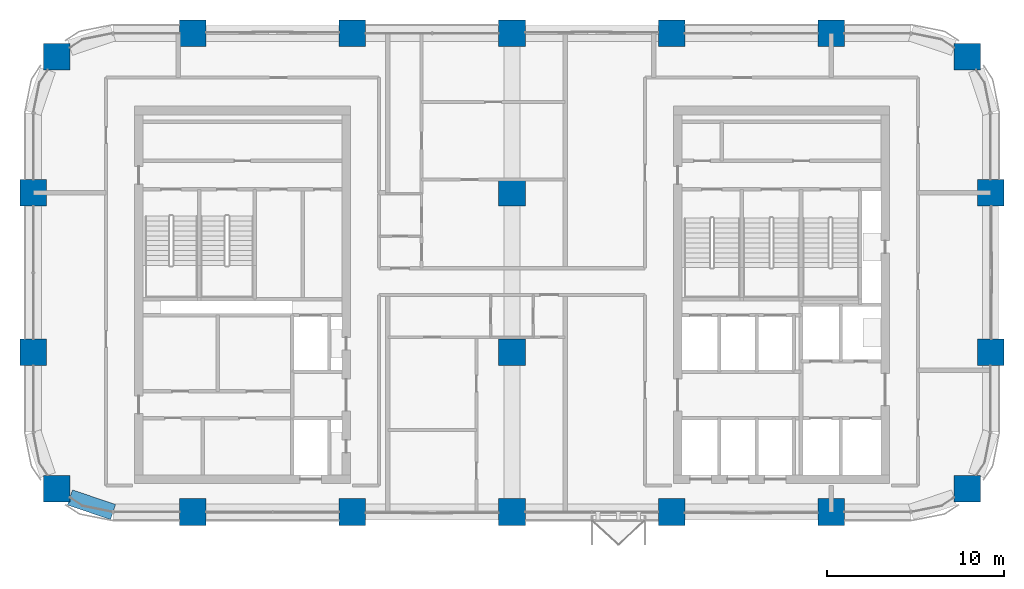
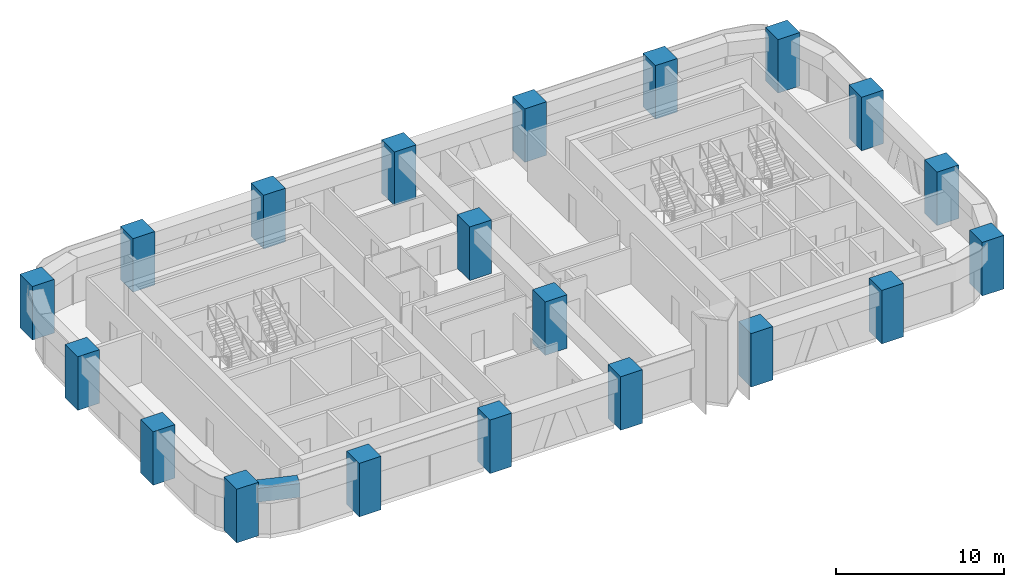
# One storey, part 1 of 14: 20 columns, 1 beam.
"""IFC4 building model written with IfcOpenShell, lengths in metres."""

from ifc_helpers import new_model, si_unit, direction, frame, origin, origin_2d, place, context, subcontext, project, spatial, rectangle, extrude, material, material_profile, profile_set, type_object, element, save


model = new_model("IFC4")

# Units and contexts
model_context = context("Model", 3, precision=1e-05, world=origin(), true_north=direction((0.0, 1.0)))
body_context = subcontext(model_context, "Body", "Model", "MODEL_VIEW")
ifc_project = project(units=[si_unit("LENGTHUNIT", "METRE"), si_unit("AREAUNIT", "SQUARE_METRE"), si_unit("VOLUMEUNIT", "CUBIC_METRE"), si_unit("PLANEANGLEUNIT", "RADIAN"), si_unit("MASSUNIT", "GRAM", prefix="KILO")], contexts=[model_context])

# Site, building, storey
site_placement = place(None, origin())
site = spatial("IfcSite", under=ifc_project, at=site_placement, CompositionType="ELEMENT")
building_placement = place(site_placement, origin())
building = spatial("IfcBuilding", under=site, at=building_placement, Name="Tessera Arch", CompositionType="ELEMENT")
storey_placement = place(building_placement, frame((0.0, 0.0, 134.89990234375)))
storey = spatial("IfcBuildingStorey", under=building, at=storey_placement, Name="L31", CompositionType="ELEMENT", Elevation=134.89990234375)

# Columns
ifc_material_1 = material(Name="Concrete C70/85", Category="concrete")
ifc_material_profile_1 = material_profile(ifc_material_1, rectangle(XDim=1.5, YDim=1.5, at=origin_2d()), Name="RC column 1500 x 1500 Concrete C70/85")
ifc_profile_set_1 = profile_set([ifc_material_profile_1], Name="Concrete C70/85")
column_type = type_object("IfcColumnType", Name="RC column 1500 x 1500 Concrete C70/85", PredefinedType="COLUMN", material=ifc_profile_set_1)
for number, where, z_axis, x_axis, name in (
    (1, (1.318115234375, 28.318115234375, 0.0), (0.0, 0.0, 1.0), (1.0, 0.0, 0.0), "Column C1D L31"),
    (2, (0.0, 36.0, 0.0), (0.0, 0.0, 1.0), (1.0, 0.0, 0.0), "Column C1E L31"),
    (3, (0.0, 45.0, 0.0), (0.0, 0.0, 1.0), (1.0, 0.0, 0.0), "Column C1F L31"),
    (4, (1.318115234375, 52.681884765625, 0.0), (0.0, 0.0, 1.0), (1.0, 0.0, 0.0), "Column C1G L31"),
    (5, (9.0, 27.0, 0.0), (0.0, 0.0, 1.0), (1.0, 0.0, 0.0), "Column C2D L31"),
    (6, (9.0, 54.0, 0.0), (0.0, 0.0, 1.0), (1.0, 0.0, 0.0), "Column C2G L31"),
    (7, (18.0, 27.0, 0.0), (0.0, 0.0, 1.0), (1.0, 0.0, 0.0), "Column C3D L31"),
    (8, (18.0, 54.0, 0.0), (0.0, 0.0, 1.0), (1.0, 0.0, 0.0), "Column C3G L31"),
    (9, (27.0, 27.0, 0.0), (0.0, 0.0, 1.0), (1.0, 0.0, 0.0), "Column C4D L31"),
    (10, (27.0, 36.0, 0.0), (0.0, 0.0, 1.0), (1.0, 0.0, 0.0), "Column C4E L31"),
    (11, (27.0, 45.0, 0.0), (0.0, 0.0, 1.0), (1.0, 0.0, 0.0), "Column C4F L31"),
    (12, (27.0, 54.0, 0.0), (0.0, 0.0, 1.0), (1.0, 0.0, 0.0), "Column C4G L31"),
    (13, (36.0, 27.0, 0.0), (0.0, 0.0, 1.0), (1.0, 0.0, 0.0), "Column C5D L31"),
    (14, (36.0, 54.0, 0.0), (0.0, 0.0, 1.0), (1.0, 0.0, 0.0), "Column C5G L31"),
    (15, (45.0, 27.0, 0.0), (0.0, 0.0, 1.0), (1.0, 0.0, 0.0), "Column C6D L31"),
    (16, (45.0, 54.0, 0.0), (0.0, 0.0, 1.0), (1.0, 0.0, 0.0), "Column C6G L31"),
    (17, (52.681884765625, 28.318115234375, 0.0), (0.0, 0.0, 1.0), (1.0, 0.0, 0.0), "Column C7D L31"),
    (18, (54.0, 36.0, 0.0), (0.0, 0.0, 1.0), (1.0, 0.0, 0.0), "Column C7E L31"),
    (19, (54.0, 45.0, 0.0), (0.0, 0.0, 1.0), (1.0, 0.0, 0.0), "Column C7F L31"),
    (20, (52.681884765625, 52.681884765625, 0.0), (0.0, 0.0, 1.0), (1.0, 0.0, 0.0), "Column C7G L31"),
):
    element("IfcColumn", number, at=place(storey_placement, frame(where, z_axis=z_axis, x_axis=x_axis)), inside=storey, type_object=column_type, Name=name, PredefinedType="COLUMN", context=body_context, shape_type="SweptSolid", body=[
        extrude(rectangle(XDim=1.5, YDim=1.5, at=origin_2d()), origin(), (0.0, 0.0, 1.0), 3.900146484375),
    ])

# Beam
ifc_material_2 = material(Name="Concrete C70/85", Category="concrete")
ifc_material_profile_2 = material_profile(ifc_material_2, rectangle(XDim=0.89990234375, YDim=1.0, at=origin_2d()), Name="RC spandrel beam 900 x 1000 Concrete C70/85")
ifc_profile_set_2 = profile_set([ifc_material_profile_2], Name="Concrete C70/85")
beam_type = type_object("IfcBeamType", Name="RC spandrel beam 900 x 1000 Concrete C70/85", PredefinedType="BEAM", material=ifc_profile_set_2)
beam_placement = place(storey_placement, frame((2.068115234375, 27.81689453125, 3.10009765625), z_axis=(0.947947973234, -0.31842525032, 0.0), x_axis=(0.31842525032, 0.947947973234, 0.0)))
element("IfcBeam", 21, at=beam_placement, inside=storey, type_object=beam_type, Name="Spandrel beam L31 S27.0/0.1", PredefinedType="BEAM", context=body_context, shape_type="SweptSolid", body=[
    extrude(rectangle(XDim=0.89990234375, YDim=1.0, at=origin_2d()), origin(), (0.0, 0.0, 1.0), 2.5654296875),
])

save(model, "model.ifc")
